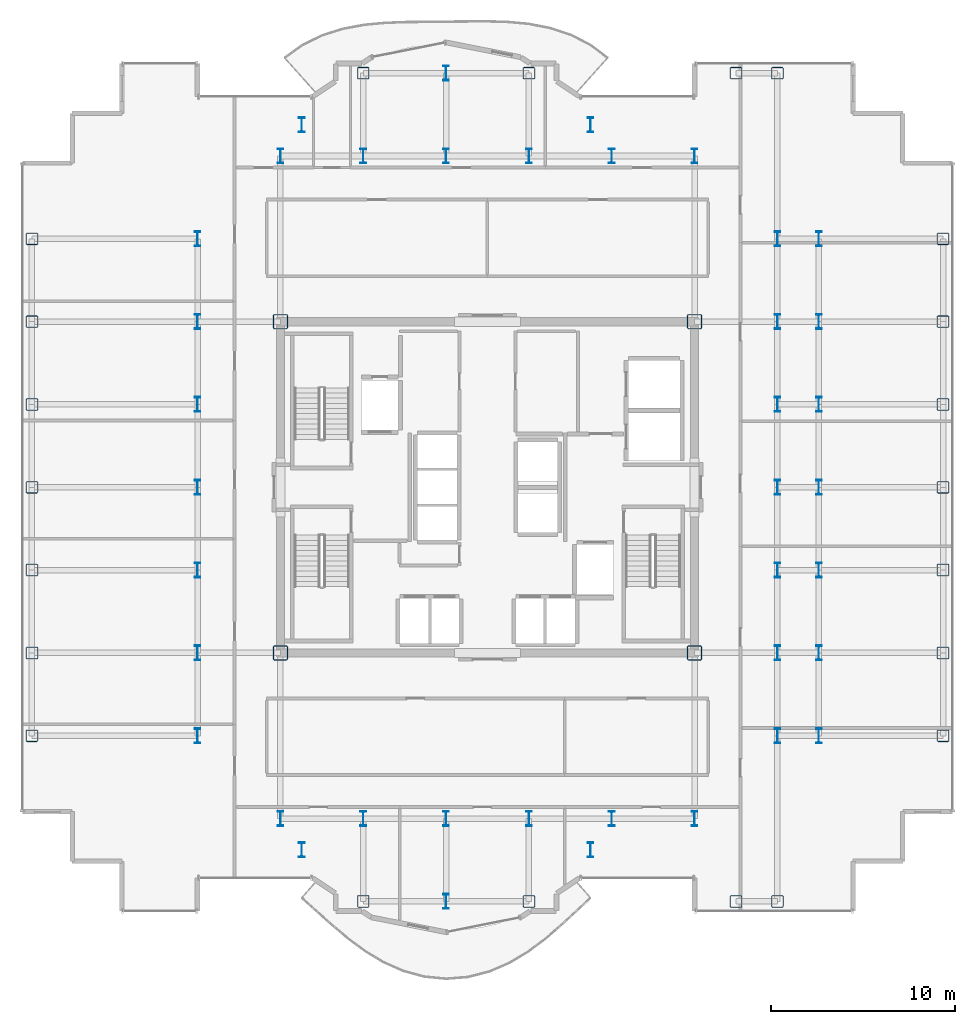
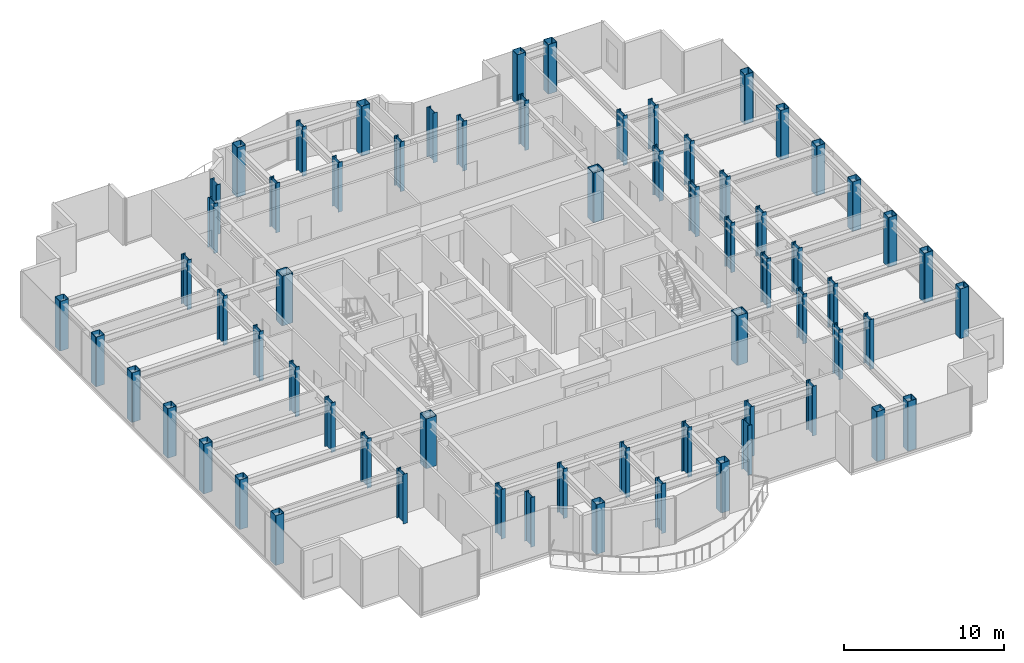
# One storey, part 1 of 20: 65 columns.
"""IFC4 building model written with IfcOpenShell, lengths in metres."""

from ifc_helpers import new_model, si_unit, direction, frame, origin, origin_2d, place, context, subcontext, project, spatial, hollow_rectangle, i_section, extrude, source, transform, mapped, material, material_profile, profile_set, type_object, element, save


model = new_model("IFC4")

# Units and contexts
model_context = context("Model", 3, precision=1e-05, world=origin(), true_north=direction((0.0, 1.0)))
body_context = subcontext(model_context, "Body", "Model", "MODEL_VIEW")
ifc_project = project(units=[si_unit("LENGTHUNIT", "METRE"), si_unit("AREAUNIT", "SQUARE_METRE"), si_unit("VOLUMEUNIT", "CUBIC_METRE"), si_unit("PLANEANGLEUNIT", "RADIAN"), si_unit("MASSUNIT", "GRAM", prefix="KILO")], contexts=[model_context])

# Site, building, storey
site_placement = place(None, origin())
site = spatial("IfcSite", under=ifc_project, at=site_placement, CompositionType="ELEMENT")
building_placement = place(site_placement, origin())
building = spatial("IfcBuilding", under=site, at=building_placement, Name="Nefas-Gora Pilgrimage Tower", CompositionType="ELEMENT")
storey_placement = place(building_placement, frame((0.0, 0.0, 225.60009765625)))
storey = spatial("IfcBuildingStorey", under=building, at=storey_placement, Name="L56", CompositionType="ELEMENT", Elevation=225.60009765625)

# Columns
ifc_material = material(Name="Steel S460", Category="steel")
ifc_material_profile_1 = material_profile(ifc_material, i_section(OverallWidth=0.302978515625, OverallDepth=0.81396484375, WebThickness=0.02099609375, FlangeThickness=0.0400390625, FilletRadius=0.030029296875, at=origin_2d()), Name="HEM 800")
ifc_profile_set_1 = profile_set([ifc_material_profile_1], Name="Steel S460")
column_type_1 = type_object("IfcColumnType", Name="COL-WEB-HEM800", PredefinedType="COLUMN", material=ifc_profile_set_1)
shared_shape_1 = source(origin(), body_context, "Body", "SweptSolid", [
    extrude(i_section(OverallWidth=0.302978515625, OverallDepth=0.81396484375, WebThickness=0.02099609375, FlangeThickness=0.0400390625, FilletRadius=0.030029296875, at=origin_2d()), origin(), (0.0, 0.0, 1.0), 3.7998046875),
])
for number, where, z_axis, x_axis, name in (
    (1, (-15.75, -13.5, 0.0), (0.0, 0.0, 1.0), (1.0, 0.0, 0.0), "L56 Tower Column CW-02.8"),
    (2, (-15.75, -9.0, 0.0), (0.0, 0.0, 1.0), (1.0, 0.0, 0.0), "L56 Tower Column CW-02.9"),
    (3, (-15.75, -4.5, 0.0), (0.0, 0.0, 1.0), (1.0, 0.0, 0.0), "L56 Tower Column CW-02.10"),
    (4, (-15.75, 0.0, 0.0), (0.0, 0.0, 1.0), (1.0, 0.0, 0.0), "L56 Tower Column CW-02.11"),
    (5, (-15.75, 4.5, 0.0), (0.0, 0.0, 1.0), (1.0, 0.0, 0.0), "L56 Tower Column CW-02.12"),
    (6, (-15.75, 9.0, 0.0), (0.0, 0.0, 1.0), (1.0, 0.0, 0.0), "L56 Tower Column CW-02.13"),
    (7, (-15.75, 13.5, 0.0), (0.0, 0.0, 1.0), (1.0, 0.0, 0.0), "L56 Tower Column CW-02.14"),
    (8, (-11.25, -18.0, 0.0), (0.0, 0.0, 1.0), (1.0, 0.0, 0.0), "L56 Tower Column CW-02.15"),
    (9, (-11.25, 18.0, 0.0), (0.0, 0.0, 1.0), (1.0, 0.0, 0.0), "L56 Tower Column CW-02.18"),
    (10, (-10.091064453125, -19.696044921875, 0.0), (0.0, 0.0, 1.0), (1.0, 0.0, 0.0), "L56 Tower Column CW-02.19"),
    (11, (-10.091064453125, 19.696044921875, 0.0), (0.0, 0.0, 1.0), (1.0, 0.0, 0.0), "L56 Tower Column CW-02.20"),
    (12, (-6.75, -18.0, 0.0), (0.0, 0.0, 1.0), (1.0, 0.0, 0.0), "L56 Tower Column CW-02.22"),
    (13, (-6.75, 18.0, 0.0), (0.0, 0.0, 1.0), (1.0, 0.0, 0.0), "L56 Tower Column CW-02.23"),
    (14, (-2.25, -22.5, 0.0), (0.0, 0.0, 1.0), (1.0, 0.0, 0.0), "L56 Tower Column CW-02.25"),
    (15, (-2.25, -18.0, 0.0), (0.0, 0.0, 1.0), (1.0, 0.0, 0.0), "L56 Tower Column CW-02.26"),
    (16, (-2.25, 18.0, 0.0), (0.0, 0.0, 1.0), (1.0, 0.0, 0.0), "L56 Tower Column CW-02.27"),
    (17, (-2.25, 22.5, 0.0), (0.0, 0.0, 1.0), (1.0, 0.0, 0.0), "L56 Tower Column CW-02.28"),
    (18, (2.25, -18.0, 0.0), (0.0, 0.0, 1.0), (1.0, 0.0, 0.0), "L56 Tower Column CW-02.30"),
    (19, (2.25, 18.0, 0.0), (0.0, 0.0, 1.0), (1.0, 0.0, 0.0), "L56 Tower Column CW-02.31"),
    (20, (5.591064453125, -19.696044921875, 0.0), (0.0, 0.0, 1.0), (1.0, 0.0, 0.0), "L56 Tower Column CW-02.33"),
    (21, (5.591064453125, 19.696044921875, 0.0), (0.0, 0.0, 1.0), (1.0, 0.0, 0.0), "L56 Tower Column CW-02.34"),
    (22, (6.75, -18.0, 0.0), (0.0, 0.0, 1.0), (1.0, 0.0, 0.0), "L56 Tower Column CW-02.35"),
    (23, (6.75, 18.0, 0.0), (0.0, 0.0, 1.0), (1.0, 0.0, 0.0), "L56 Tower Column CW-02.36"),
    (24, (11.25, -18.0, 0.0), (0.0, 0.0, 1.0), (1.0, 0.0, 0.0), "L56 Tower Column CW-02.37"),
    (25, (11.25, 18.0, 0.0), (0.0, 0.0, 1.0), (1.0, 0.0, 0.0), "L56 Tower Column CW-02.40"),
    (26, (15.75, -13.5, 0.0), (0.0, 0.0, 1.0), (1.0, 0.0, 0.0), "L56 Tower Column CW-02.44"),
    (27, (15.75, -9.0, 0.0), (0.0, 0.0, 1.0), (1.0, 0.0, 0.0), "L56 Tower Column CW-02.45"),
    (28, (15.75, -4.5, 0.0), (0.0, 0.0, 1.0), (1.0, 0.0, 0.0), "L56 Tower Column CW-02.46"),
    (29, (15.75, 0.0, 0.0), (0.0, 0.0, 1.0), (1.0, 0.0, 0.0), "L56 Tower Column CW-02.47"),
    (30, (15.75, 4.5, 0.0), (0.0, 0.0, 1.0), (1.0, 0.0, 0.0), "L56 Tower Column CW-02.48"),
    (31, (15.75, 9.0, 0.0), (0.0, 0.0, 1.0), (1.0, 0.0, 0.0), "L56 Tower Column CW-02.49"),
    (32, (15.75, 13.5, 0.0), (0.0, 0.0, 1.0), (1.0, 0.0, 0.0), "L56 Tower Column CW-02.50"),
    (33, (18.0, -13.5, 0.0), (0.0, 0.0, 1.0), (1.0, 0.0, 0.0), "L56 Tower Column CW-02.52"),
    (34, (18.0, -9.0, 0.0), (0.0, 0.0, 1.0), (1.0, 0.0, 0.0), "L56 Tower Column CW-02.53"),
    (35, (18.0, -4.5, 0.0), (0.0, 0.0, 1.0), (1.0, 0.0, 0.0), "L56 Tower Column CW-02.54"),
    (36, (18.0, 0.0, 0.0), (0.0, 0.0, 1.0), (1.0, 0.0, 0.0), "L56 Tower Column CW-02.55"),
    (37, (18.0, 4.5, 0.0), (0.0, 0.0, 1.0), (1.0, 0.0, 0.0), "L56 Tower Column CW-02.56"),
    (38, (18.0, 9.0, 0.0), (0.0, 0.0, 1.0), (1.0, 0.0, 0.0), "L56 Tower Column CW-02.57"),
    (39, (18.0, 13.5, 0.0), (0.0, 0.0, 1.0), (1.0, 0.0, 0.0), "L56 Tower Column CW-02.58"),
):
    element("IfcColumn", number, at=place(storey_placement, frame(where, z_axis=z_axis, x_axis=x_axis)), inside=storey, type_object=column_type_1, Name=name, PredefinedType="COLUMN", context=body_context, shape_type="MappedRepresentation", body=[
        mapped(shared_shape_1, transform((0.0, 0.0, 0.0), x_axis=(1.0, 0.0, 0.0), y_axis=(0.0, 1.0, 0.0), z_axis=(0.0, 0.0, 1.0), scale=1.0)),
    ])
ifc_material_profile_2 = material_profile(ifc_material, hollow_rectangle(XDim=0.800048828125, YDim=0.800048828125, WallThickness=0.0400390625, InnerFilletRadius=0.0400390625, OuterFilletRadius=0.080078125, at=origin_2d()), Name="BOX 800x800x40")
ifc_profile_set_2 = profile_set([ifc_material_profile_2], Name="Steel S460")
column_type_2 = type_object("IfcColumnType", Name="COL-CORE-800", PredefinedType="COLUMN", material=ifc_profile_set_2)
shared_shape_2 = source(origin(), body_context, "Body", "SweptSolid", [
    extrude(hollow_rectangle(XDim=0.800048828125, YDim=0.800048828125, WallThickness=0.0400390625, InnerFilletRadius=0.0400390625, OuterFilletRadius=0.080078125, at=origin_2d()), origin(), (0.0, 0.0, 1.0), 3.7998046875),
])
for number, where, z_axis, x_axis, name in (
    (40, (-11.25, -9.0, 0.0), (0.0, 0.0, 1.0), (1.0, 0.0, 0.0), "L56 Tower Column CC-Z2.16"),
    (41, (-11.25, 9.0, 0.0), (0.0, 0.0, 1.0), (1.0, 0.0, 0.0), "L56 Tower Column CC-Z2.17"),
    (42, (11.25, -9.0, 0.0), (0.0, 0.0, 1.0), (1.0, 0.0, 0.0), "L56 Tower Column CC-Z2.38"),
    (43, (11.25, 9.0, 0.0), (0.0, 0.0, 1.0), (1.0, 0.0, 0.0), "L56 Tower Column CC-Z2.39"),
):
    element("IfcColumn", number, at=place(storey_placement, frame(where, z_axis=z_axis, x_axis=x_axis)), inside=storey, type_object=column_type_2, Name=name, PredefinedType="COLUMN", context=body_context, shape_type="MappedRepresentation", body=[
        mapped(shared_shape_2, transform((0.0, 0.0, 0.0), x_axis=(1.0, 0.0, 0.0), y_axis=(0.0, 1.0, 0.0), z_axis=(0.0, 0.0, 1.0), scale=1.0)),
    ])
ifc_material_profile_3 = material_profile(ifc_material, hollow_rectangle(XDim=0.64990234375, YDim=0.64990234375, WallThickness=0.031982421875, InnerFilletRadius=0.031982421875, OuterFilletRadius=0.06396484375, at=origin_2d()), Name="BOX 650x650x32")
ifc_profile_set_3 = profile_set([ifc_material_profile_3], Name="Steel S460")
column_type_3 = type_object("IfcColumnType", Name="COL-TUBE-650", PredefinedType="COLUMN", material=ifc_profile_set_3)
shared_shape_3 = source(origin(), body_context, "Body", "SweptSolid", [
    extrude(hollow_rectangle(XDim=0.64990234375, YDim=0.64990234375, WallThickness=0.031982421875, InnerFilletRadius=0.031982421875, OuterFilletRadius=0.06396484375, at=origin_2d()), origin(), (0.0, 0.0, 1.0), 3.7998046875),
])
for number, where, z_axis, x_axis, name in (
    (44, (-24.75, -13.5, 0.0), (0.0, 0.0, 1.0), (1.0, 0.0, 0.0), "L56 Tower Column C-Z3.1"),
    (45, (-24.75, -9.0, 0.0), (0.0, 0.0, 1.0), (1.0, 0.0, 0.0), "L56 Tower Column C-Z3.2"),
    (46, (-24.75, -4.5, 0.0), (0.0, 0.0, 1.0), (1.0, 0.0, 0.0), "L56 Tower Column C-Z3.3"),
    (47, (-24.75, 0.0, 0.0), (0.0, 0.0, 1.0), (1.0, 0.0, 0.0), "L56 Tower Column C-Z3.4"),
    (48, (-24.75, 4.5, 0.0), (0.0, 0.0, 1.0), (1.0, 0.0, 0.0), "L56 Tower Column C-Z3.5"),
    (49, (-24.75, 9.0, 0.0), (0.0, 0.0, 1.0), (1.0, 0.0, 0.0), "L56 Tower Column C-Z3.6"),
    (50, (-24.75, 13.5, 0.0), (0.0, 0.0, 1.0), (1.0, 0.0, 0.0), "L56 Tower Column C-Z3.7"),
    (51, (-6.75, -22.5, 0.0), (0.0, 0.0, 1.0), (1.0, 0.0, 0.0), "L56 Tower Column C-Z3.21"),
    (52, (-6.75, 22.5, 0.0), (0.0, 0.0, 1.0), (1.0, 0.0, 0.0), "L56 Tower Column C-Z3.24"),
    (53, (2.25, -22.5, 0.0), (0.0, 0.0, 1.0), (1.0, 0.0, 0.0), "L56 Tower Column C-Z3.29"),
    (54, (2.25, 22.5, 0.0), (0.0, 0.0, 1.0), (1.0, 0.0, 0.0), "L56 Tower Column C-Z3.32"),
    (55, (13.5, -22.5, 0.0), (0.0, 0.0, 1.0), (1.0, 0.0, 0.0), "L56 Tower Column C-Z3.41"),
    (56, (13.5, 22.5, 0.0), (0.0, 0.0, 1.0), (1.0, 0.0, 0.0), "L56 Tower Column C-Z3.42"),
    (57, (15.75, -22.5, 0.0), (0.0, 0.0, 1.0), (1.0, 0.0, 0.0), "L56 Tower Column C-Z3.43"),
    (58, (15.75, 22.5, 0.0), (0.0, 0.0, 1.0), (1.0, 0.0, 0.0), "L56 Tower Column C-Z3.51"),
    (59, (24.75, -13.5, 0.0), (0.0, 0.0, 1.0), (1.0, 0.0, 0.0), "L56 Tower Column C-Z3.59"),
    (60, (24.75, -9.0, 0.0), (0.0, 0.0, 1.0), (1.0, 0.0, 0.0), "L56 Tower Column C-Z3.60"),
    (61, (24.75, -4.5, 0.0), (0.0, 0.0, 1.0), (1.0, 0.0, 0.0), "L56 Tower Column C-Z3.61"),
    (62, (24.75, 0.0, 0.0), (0.0, 0.0, 1.0), (1.0, 0.0, 0.0), "L56 Tower Column C-Z3.62"),
    (63, (24.75, 4.5, 0.0), (0.0, 0.0, 1.0), (1.0, 0.0, 0.0), "L56 Tower Column C-Z3.63"),
    (64, (24.75, 9.0, 0.0), (0.0, 0.0, 1.0), (1.0, 0.0, 0.0), "L56 Tower Column C-Z3.64"),
    (65, (24.75, 13.5, 0.0), (0.0, 0.0, 1.0), (1.0, 0.0, 0.0), "L56 Tower Column C-Z3.65"),
):
    element("IfcColumn", number, at=place(storey_placement, frame(where, z_axis=z_axis, x_axis=x_axis)), inside=storey, type_object=column_type_3, Name=name, PredefinedType="COLUMN", context=body_context, shape_type="MappedRepresentation", body=[
        mapped(shared_shape_3, transform((0.0, 0.0, 0.0), x_axis=(1.0, 0.0, 0.0), y_axis=(0.0, 1.0, 0.0), z_axis=(0.0, 0.0, 1.0), scale=1.0)),
    ])

save(model, "model.ifc")
